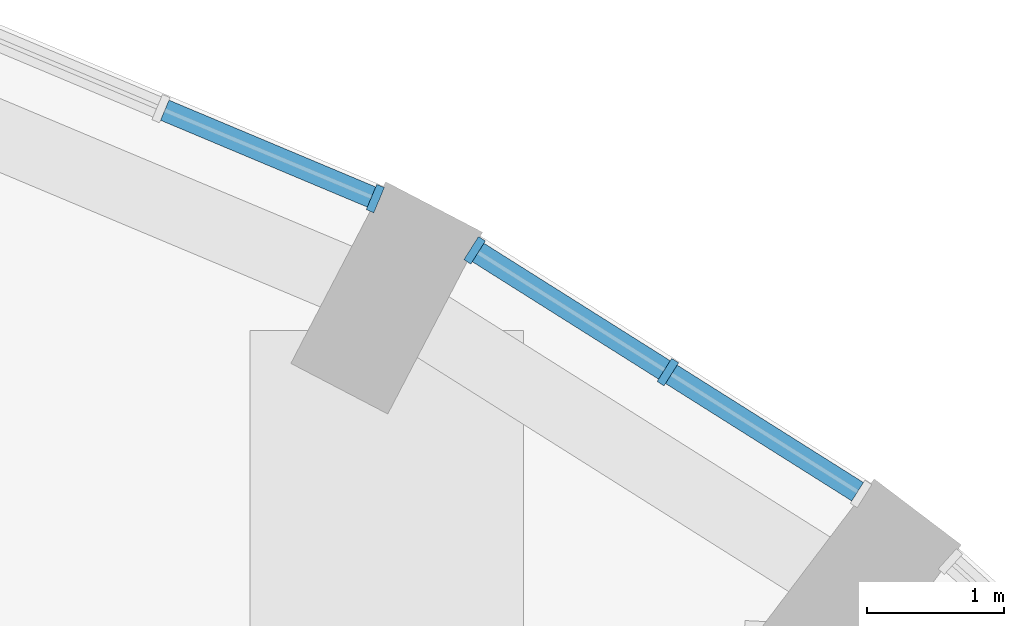
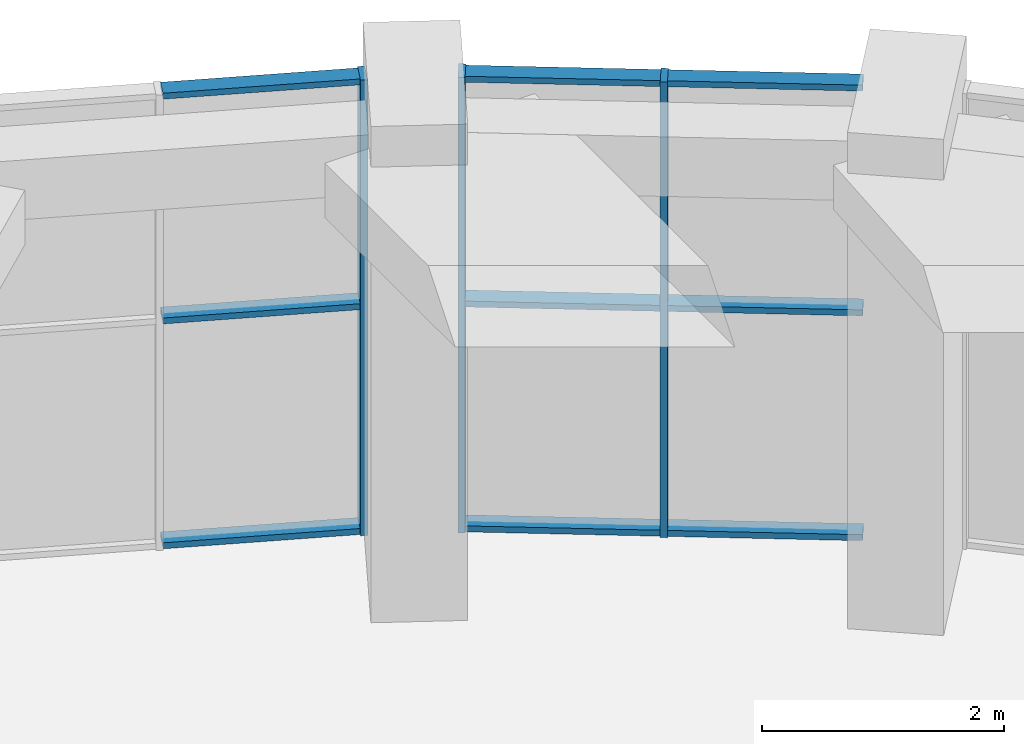
# One storey, part 9 of 16: 12 members, 2 elements without a shape of their own.
"""IFC4 building model written with IfcOpenShell, lengths in metres."""

from ifc_helpers import new_model, si_unit, direction, frame, origin, origin_2d, place, context, subcontext, project, spatial, rectangle, extrude, material, material_profile, profile_set, type_object, element, aggregate, save


model = new_model("IFC4")

# Units and contexts
model_context = context("Model", 3, precision=1e-05, world=origin(), true_north=direction((0.0, 1.0)))
body_context = subcontext(model_context, "Body", "Model", "MODEL_VIEW")
ifc_project = project(units=[si_unit("LENGTHUNIT", "METRE"), si_unit("AREAUNIT", "SQUARE_METRE"), si_unit("VOLUMEUNIT", "CUBIC_METRE"), si_unit("PLANEANGLEUNIT", "RADIAN"), si_unit("MASSUNIT", "GRAM", prefix="KILO")], contexts=[model_context])

# Site, building, storey
site_placement = place(None, origin())
site = spatial("IfcSite", under=ifc_project, at=site_placement, CompositionType="ELEMENT")
building_placement = place(site_placement, origin())
building = spatial("IfcBuilding", under=site, at=building_placement, Name="Taillehof Tower", CompositionType="ELEMENT")
storey_placement = place(building_placement, frame((0.0, 0.0, 264.199951171875)))
storey = spatial("IfcBuildingStorey", under=building, at=storey_placement, Name="L75", CompositionType="ELEMENT", Elevation=264.199951171875)

# Curtain wall, members
ifc_material_1 = material(Name="Aluminium curtain wall with Clear laminated safety glass", Category="aluminium")
curtain_wall_type = type_object("IfcCurtainWallType", Name="Sky restaurant curtain wall", PredefinedType="USERDEFINED", material=ifc_material_1)
curtain_wall_1_placement = place(storey_placement, origin())
curtain_wall_1 = element("IfcCurtainWall", 1, at=curtain_wall_1_placement, inside=storey, type_object=curtain_wall_type, Name="Sky restaurant L75 bay 6", ObjectType="WINDOW WALL", PredefinedType="USERDEFINED")
ifc_material_2 = material(Name="Aluminium mullion", Category="aluminium")
ifc_material_profile_1 = material_profile(ifc_material_2, rectangle(XDim=0.199951171875, YDim=0.06005859375, at=origin_2d()), Name="AL 60x200")
ifc_profile_set_1 = profile_set([ifc_material_profile_1], Name="Aluminium mullion")
member_type_1 = type_object("IfcMemberType", Name="Sky restaurant mullion 60x200", PredefinedType="MULLION", material=ifc_profile_set_1)
member_1_placement = place(storey_placement, frame((13.98291015625, 18.505615234375, 0.0), z_axis=(0.0, 0.0, 1.0), x_axis=(-0.533294430468, -0.845929695916, 0.0)))
member_1 = element("IfcMember", 2, at=member_1_placement, type_object=member_type_1, Name="CT5E06 mullion 2", PredefinedType="MULLION", context=body_context, shape_type="SweptSolid", body=[
    extrude(rectangle(XDim=0.199951171875, YDim=0.06005859375, at=origin_2d()), origin(), (0.0, 0.0, 1.0), 4.590087890625),
])
member_2_placement = place(storey_placement, frame((12.568603515625, 19.397216796875, 0.0), z_axis=(0.0, 0.0, 1.0), x_axis=(-0.533294430468, -0.845929695916, 0.0)))
member_2 = element("IfcMember", 3, at=member_2_placement, type_object=member_type_1, Name="CT5E06 mullion 3", PredefinedType="MULLION", context=body_context, shape_type="SweptSolid", body=[
    extrude(rectangle(XDim=0.199951171875, YDim=0.06005859375, at=origin_2d()), origin(), (0.0, 0.0, 1.0), 4.590087890625),
])

# Curtain wall, member
curtain_wall_2_placement = place(storey_placement, origin())
curtain_wall_2 = element("IfcCurtainWall", 4, at=curtain_wall_2_placement, inside=storey, type_object=curtain_wall_type, Name="Sky restaurant L75 bay 7", ObjectType="WINDOW WALL", PredefinedType="USERDEFINED")
member_3_placement = place(storey_placement, frame((11.841552734375, 19.77587890625, 0.0), z_axis=(0.0, 0.0, 1.0), x_axis=(-0.387100713636, -0.922037438233, 0.0)))
member_3 = element("IfcMember", 5, at=member_3_placement, type_object=member_type_1, Name="CT5E07 mullion 1", PredefinedType="MULLION", context=body_context, shape_type="SweptSolid", body=[
    extrude(rectangle(XDim=0.199951171875, YDim=0.06005859375, at=origin_2d()), origin(), (0.0, 0.0, 1.0), 4.590087890625),
])

# Member
ifc_material_3 = material(Name="Aluminium transom", Category="aluminium")
ifc_material_profile_2 = material_profile(ifc_material_3, rectangle(XDim=0.159912109375, YDim=0.06005859375, at=origin_2d()), Name="AL 160x60")
ifc_profile_set_2 = profile_set([ifc_material_profile_2], Name="Aluminium transom")
member_type_2 = type_object("IfcMemberType", Name="Sky restaurant transom 160x60", PredefinedType="USERDEFINED", material=ifc_profile_set_2)
member_4_placement = place(storey_placement, frame((15.371826171875, 17.630126953125, 0.030029296875), z_axis=(-0.845924117153, 0.533303279587, 0.0), x_axis=(-0.533303279587, -0.845924117153, 0.0)))
member_4 = element("IfcMember", 6, at=member_4_placement, type_object=member_type_2, Name="CT5E06 transom 1.1", ObjectType="TRANSOM", PredefinedType="USERDEFINED", context=body_context, shape_type="SweptSolid", body=[
    extrude(rectangle(XDim=0.159912109375, YDim=0.06005859375, at=origin_2d()), origin(), (0.0, 0.0, 1.0), 1.61181640625),
])

member_5_placement = place(storey_placement, frame((15.371826171875, 17.630126953125, 2.295166015625), z_axis=(-0.845924117153, 0.533303279587, 0.0), x_axis=(-0.533303279587, -0.845924117153, 0.0)))
member_5 = element("IfcMember", 7, at=member_5_placement, type_object=member_type_2, Name="CT5E06 transom 1.2", ObjectType="TRANSOM", PredefinedType="USERDEFINED", context=body_context, shape_type="SweptSolid", body=[
    extrude(rectangle(XDim=0.159912109375, YDim=0.06005859375, at=origin_2d()), origin(), (0.0, 0.0, 1.0), 1.61181640625),
])

member_6_placement = place(storey_placement, frame((15.371826171875, 17.630126953125, 4.56005859375), z_axis=(-0.845924117153, 0.533303279587, 0.0), x_axis=(-0.533303279587, -0.845924117153, 0.0)))
member_6 = element("IfcMember", 8, at=member_6_placement, type_object=member_type_2, Name="CT5E06 transom 1.3", ObjectType="TRANSOM", PredefinedType="USERDEFINED", context=body_context, shape_type="SweptSolid", body=[
    extrude(rectangle(XDim=0.159912109375, YDim=0.06005859375, at=origin_2d()), origin(), (0.0, 0.0, 1.0), 1.61181640625),
])

member_7_placement = place(storey_placement, frame((13.95751953125, 18.521728515625, 0.030029296875), z_axis=(-0.845924117153, 0.533303279587, 0.0), x_axis=(-0.533303279587, -0.845924117153, 0.0)))
member_7 = element("IfcMember", 9, at=member_7_placement, type_object=member_type_2, Name="CT5E06 transom 2.1", ObjectType="TRANSOM", PredefinedType="USERDEFINED", context=body_context, shape_type="SweptSolid", body=[
    extrude(rectangle(XDim=0.159912109375, YDim=0.06005859375, at=origin_2d()), origin(), (0.0, 0.0, 1.0), 1.61181640625),
])

member_8_placement = place(storey_placement, frame((13.95751953125, 18.521728515625, 2.295166015625), z_axis=(-0.845924117153, 0.533303279587, 0.0), x_axis=(-0.533303279587, -0.845924117153, 0.0)))
member_8 = element("IfcMember", 10, at=member_8_placement, type_object=member_type_2, Name="CT5E06 transom 2.2", ObjectType="TRANSOM", PredefinedType="USERDEFINED", context=body_context, shape_type="SweptSolid", body=[
    extrude(rectangle(XDim=0.159912109375, YDim=0.06005859375, at=origin_2d()), origin(), (0.0, 0.0, 1.0), 1.61181640625),
])

member_9_placement = place(storey_placement, frame((13.95751953125, 18.521728515625, 4.56005859375), z_axis=(-0.845924117153, 0.533303279587, 0.0), x_axis=(-0.533303279587, -0.845924117153, 0.0)))
member_9 = element("IfcMember", 11, at=member_9_placement, type_object=member_type_2, Name="CT5E06 transom 2.3", ObjectType="TRANSOM", PredefinedType="USERDEFINED", context=body_context, shape_type="SweptSolid", body=[
    extrude(rectangle(XDim=0.159912109375, YDim=0.06005859375, at=origin_2d()), origin(), (0.0, 0.0, 1.0), 1.61181640625),
])

aggregate(curtain_wall_1, [member_1, member_2, member_4, member_5, member_6, member_7, member_8, member_9])

member_10_placement = place(storey_placement, frame((11.813720703125, 19.787353515625, 0.030029296875), z_axis=(-0.922021409269, 0.387138890902, 0.0), x_axis=(-0.387138890902, -0.922021409269, 0.0)))
member_10 = element("IfcMember", 12, at=member_10_placement, type_object=member_type_2, Name="CT5E07 transom 1.1", ObjectType="TRANSOM", PredefinedType="USERDEFINED", context=body_context, shape_type="SweptSolid", body=[
    extrude(rectangle(XDim=0.159912109375, YDim=0.06005859375, at=origin_2d()), origin(), (0.0, 0.0, 1.0), 1.640869140625),
])

member_11_placement = place(storey_placement, frame((11.813720703125, 19.787353515625, 2.295166015625), z_axis=(-0.922021409269, 0.387138890902, 0.0), x_axis=(-0.387138890902, -0.922021409269, 0.0)))
member_11 = element("IfcMember", 13, at=member_11_placement, type_object=member_type_2, Name="CT5E07 transom 1.2", ObjectType="TRANSOM", PredefinedType="USERDEFINED", context=body_context, shape_type="SweptSolid", body=[
    extrude(rectangle(XDim=0.159912109375, YDim=0.06005859375, at=origin_2d()), origin(), (0.0, 0.0, 1.0), 1.640869140625),
])

member_12_placement = place(storey_placement, frame((11.813720703125, 19.787353515625, 4.56005859375), z_axis=(-0.922021409269, 0.387138890902, 0.0), x_axis=(-0.387138890902, -0.922021409269, 0.0)))
member_12 = element("IfcMember", 14, at=member_12_placement, type_object=member_type_2, Name="CT5E07 transom 1.3", ObjectType="TRANSOM", PredefinedType="USERDEFINED", context=body_context, shape_type="SweptSolid", body=[
    extrude(rectangle(XDim=0.159912109375, YDim=0.06005859375, at=origin_2d()), origin(), (0.0, 0.0, 1.0), 1.640869140625),
])

aggregate(curtain_wall_2, [member_3, member_10, member_11, member_12])

save(model, "model.ifc")
